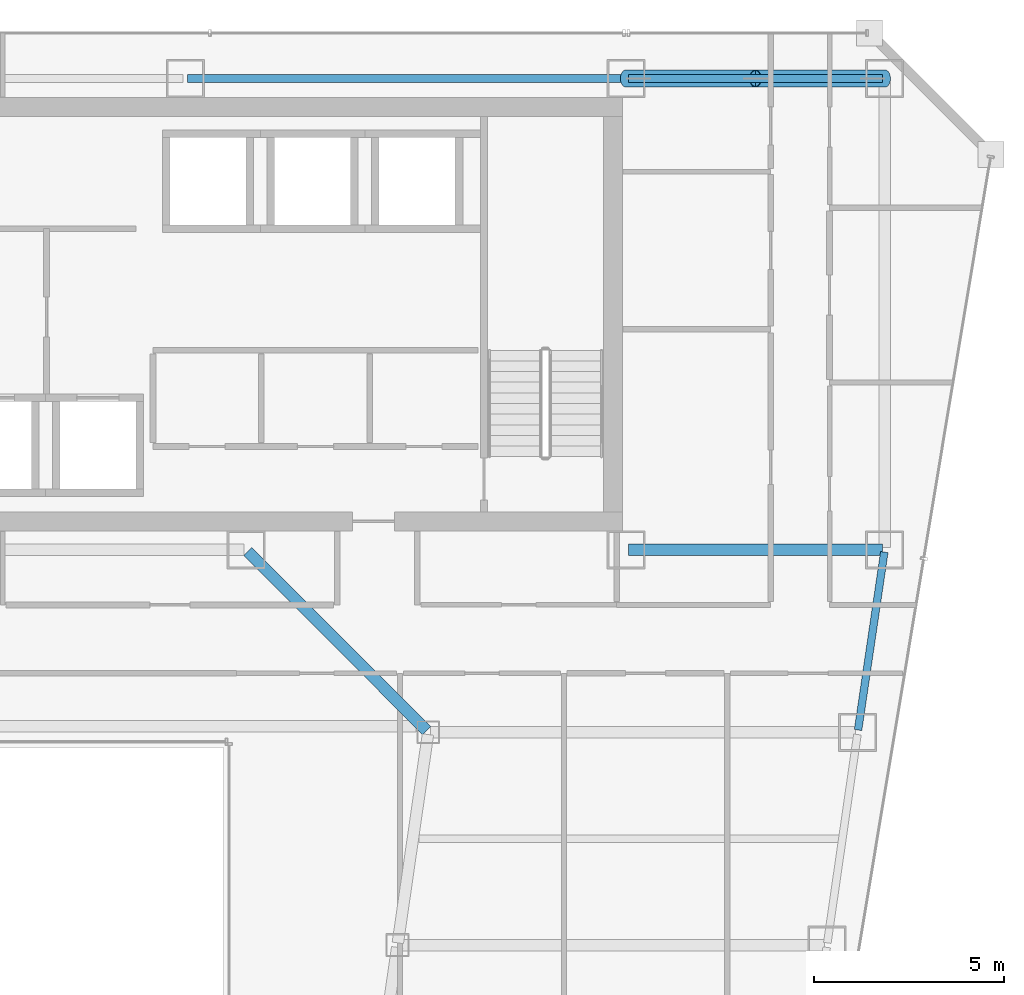
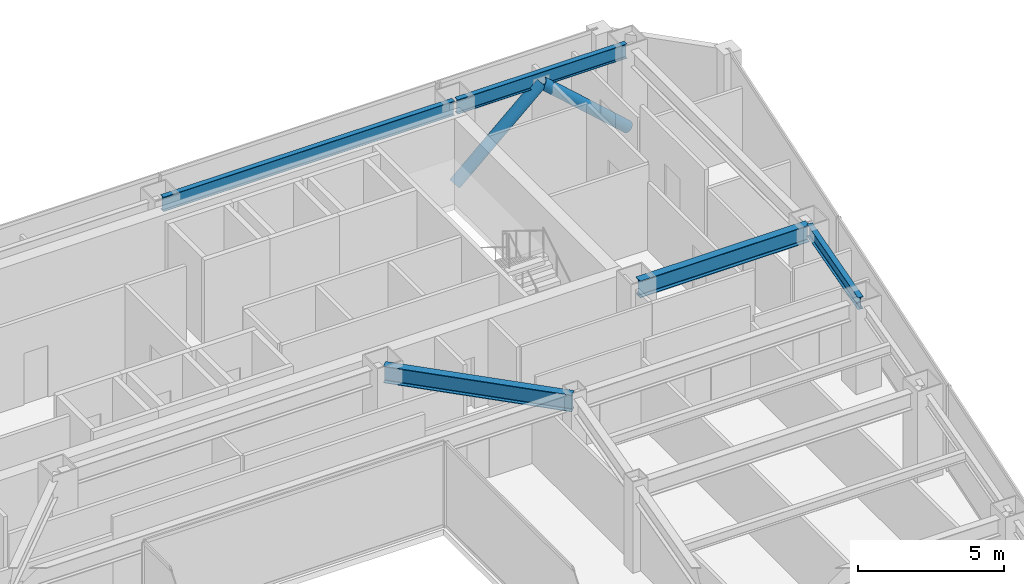
# One storey, part 25 of 37: 5 beams, 2 members.
"""IFC4 building model written with IfcOpenShell, lengths in metres."""

import ifcopenshell
import ifcopenshell.guid

model = None  # the IFC model being written
_history = None  # IfcOwnerHistory: only IFC2X3 demands one
_inside = {}  # id of a spatial element -> (the spatial element, [elements in it])
_under = {}  # id of a project, library or spatial element -> (it, [spatial elements below it])
_declared = {}  # id of a project -> (the project, [libraries it declares])
_typed = {}  # id of a type object -> (the type object, [elements of that type])
_made_of = {}  # id of a material, layer set ... -> (it, [elements and type objects made of it])


def new_model(schema):
    """Start an empty IFC model of exactly this schema.

    Asked for "IFC4X3", IfcOpenShell would pick the latest addendum, in which some entities
    have other attributes; the version numbers below select the first issue.
    IFC2X3 requires an IfcOwnerHistory on every rooted entity: one is made here for all.
    """
    global model, _history
    if schema == "IFC4X3":
        model = ifcopenshell.file(schema_version=(4, 3, 0, 0))
    else:
        model = ifcopenshell.file(schema=schema)
    _inside.clear()
    _under.clear()
    _declared.clear()
    _typed.clear()
    _made_of.clear()
    _history = None
    if model.schema == "IFC2X3":
        org = make("IfcOrganization", Name="unknown")
        user = make(
            "IfcPersonAndOrganization",
            ThePerson=make("IfcPerson", FamilyName="unknown"),
            TheOrganization=org,
        )
        app = make(
            "IfcApplication",
            ApplicationDeveloper=org,
            Version="unknown",
            ApplicationFullName="unknown",
            ApplicationIdentifier="unknown",
        )
        _history = make(
            "IfcOwnerHistory",
            OwningUser=user,
            OwningApplication=app,
            ChangeAction="ADDED",
            CreationDate=0,
        )
    return model


def make(cls, **values):
    """One entity of the class cls with the attributes given. An attribute that is None is left unset."""
    return model.create_entity(
        cls, **{name: value for name, value in values.items() if value is not None}
    )


def rooted(cls, **values):
    """An entity with a GlobalId (a new one), such as an element, a storey or a relation."""
    return make(cls, GlobalId=ifcopenshell.guid.new(), OwnerHistory=_history, **values)


def si_unit(unit_type, name, prefix=None):
    """IfcSIUnit, for example si_unit("LENGTHUNIT", "METRE", prefix="MILLI")."""
    return make("IfcSIUnit", UnitType=unit_type, Prefix=prefix, Name=name)


def assignment(units):
    """IfcUnitAssignment: the units of a project."""
    return None if units is None else make("IfcUnitAssignment", Units=units)


def point(xyz):
    """IfcCartesianPoint."""
    return None if xyz is None else make("IfcCartesianPoint", Coordinates=xyz)


def direction(xyz):
    """IfcDirection."""
    return None if xyz is None else make("IfcDirection", DirectionRatios=xyz)


def frame(location, z_axis=None, x_axis=None):
    """IfcAxis2Placement3D, a coordinate frame: its origin and axes. An axis left out is left unset."""
    return make(
        "IfcAxis2Placement3D",
        Location=point(location),
        Axis=direction(z_axis),
        RefDirection=direction(x_axis),
    )


def frame_2d(location, x_axis=None):
    """IfcAxis2Placement2D, a coordinate frame in the plane: its origin and x axis."""
    return make(
        "IfcAxis2Placement2D", Location=point(location), RefDirection=direction(x_axis)
    )


def origin():
    """The frame at (0, 0, 0) with its axes left unset."""
    return frame((0.0, 0.0, 0.0))


def origin_2d():
    """The frame at (0, 0) in the plane with its x axis left unset."""
    return frame_2d((0.0, 0.0))


def place(relative_to, where):
    """IfcLocalPlacement: puts the frame where relative to a parent placement (None: the world)."""
    return make(
        "IfcLocalPlacement", PlacementRelTo=relative_to, RelativePlacement=where
    )


def context(
    kind, dimensions, precision=None, world=None, true_north=None, identifier=None
):
    """IfcGeometricRepresentationContext, for example the 3D "Model" context."""
    return make(
        "IfcGeometricRepresentationContext",
        ContextIdentifier=identifier,
        ContextType=kind,
        CoordinateSpaceDimension=dimensions,
        Precision=precision,
        WorldCoordinateSystem=world,
        TrueNorth=true_north,
    )


def subcontext(parent, identifier, kind, view, scale=None):
    """IfcGeometricRepresentationSubContext, for example "Body" below "Model"."""
    return make(
        "IfcGeometricRepresentationSubContext",
        ContextIdentifier=identifier,
        ContextType=kind,
        ParentContext=parent,
        TargetScale=scale,
        TargetView=view,
    )


def project(units=None, contexts=None):
    """IfcProject with its units and contexts."""
    return rooted(
        "IfcProject",
        Name="project",
        RepresentationContexts=contexts,
        UnitsInContext=assignment(units),
    )


def spatial(cls, under=None, at=None, **own):
    """A site, building, storey or space (cls), placed at a placement, below another one or the project."""
    s = rooted(cls, ObjectPlacement=at, **own)
    if under is not None:
        _under.setdefault(under.id(), (under, []))[1].append(s)
    return s


def profile(cls, at=None, kind="AREA", **sizes):
    """A parametric profile (cls). Its sizes go by their IFC names, for example OverallWidth=200.0."""
    return make(cls, ProfileType=kind, Position=at, **sizes)


def hollow_circle(**sizes):
    """IfcCircleHollowProfileDef."""
    return profile("IfcCircleHollowProfileDef", **sizes)


def i_section(**sizes):
    """IfcIShapeProfileDef."""
    return profile("IfcIShapeProfileDef", **sizes)


def extrude(swept, where, along, depth):
    """IfcExtrudedAreaSolid: the profile swept, set in the frame where, extruded along a direction by depth."""
    return make(
        "IfcExtrudedAreaSolid",
        SweptArea=swept,
        Position=where,
        ExtrudedDirection=direction(along),
        Depth=depth,
    )


def shape(context_of_items, identifier, shape_type, items):
    """IfcShapeRepresentation: the items that make up one representation, for example the "Body"."""
    return make(
        "IfcShapeRepresentation",
        ContextOfItems=context_of_items,
        RepresentationIdentifier=identifier,
        RepresentationType=shape_type,
        Items=items,
    )


def material(Name=None, Category=None):
    """IfcMaterial."""
    return make("IfcMaterial", Name=Name, Category=Category)


def material_profile(
    of_material, cross_section, Name=None, Category=None, Priority=None
):
    """IfcMaterialProfile: a cross section and its material."""
    return make(
        "IfcMaterialProfile",
        Name=Name,
        Material=of_material,
        Profile=cross_section,
        Priority=Priority,
        Category=Category,
    )


def profile_set(profiles, Name=None, composite=None):
    """IfcMaterialProfileSet."""
    return make(
        "IfcMaterialProfileSet",
        Name=Name,
        MaterialProfiles=profiles,
        CompositeProfile=composite,
    )


def made_of(thing, what):
    """Note that an element or type object is made of a material, layer set ...; save() writes the relation."""
    if what is not None:
        _made_of.setdefault(what.id(), (what, []))[1].append(thing)
    return thing


def type_object(cls, material=None, **own):
    """A type object (cls), such as IfcWallType, which elements share."""
    return made_of(rooted(cls, **own), material)


def element(
    cls,
    number,
    at=None,
    inside=None,
    cuts=None,
    type_object=None,
    material=None,
    context=None,
    identifier="Body",
    shape_type=None,
    held_by="IfcProductDefinitionShape",
    body=None,
    shapes=None,
    **own,
):
    """One element of the class cls, such as IfcWall. Its Tag is "e" and its number.

    at: its placement. inside: the storey or other place that contains it. cuts: it is an
    opening in that element (IfcRelVoidsElement). A single representation is given by context,
    identifier, shape_type and body (its items); several are given by shapes. held_by: the class
    of the entity that holds the representations. save() writes the other relations.
    """
    e = rooted(cls, Tag="e%d" % number, ObjectPlacement=at, **own)
    if body is not None:
        shapes = [shape(context, identifier, shape_type, body)]
    if shapes is not None:
        e.Representation = make(held_by, Representations=shapes)
    if inside is not None:
        _inside.setdefault(inside.id(), (inside, []))[1].append(e)
    if cuts is not None:
        rooted(
            "IfcRelVoidsElement", RelatingBuildingElement=cuts, RelatedOpeningElement=e
        )
    if type_object is not None:
        _typed.setdefault(type_object.id(), (type_object, []))[1].append(e)
    return made_of(e, material)


def aggregate(whole, parts):
    """IfcRelAggregates: a whole, such as a stair, and the parts it consists of."""
    return rooted("IfcRelAggregates", RelatingObject=whole, RelatedObjects=parts)


def save(model, path):
    """Write the relations noted so far, then the file.

    IfcRelAggregates (storeys below a building ...), IfcRelContainedInSpatialStructure (elements
    in a storey), IfcRelDefinesByType, IfcRelAssociatesMaterial and IfcRelDeclares: one each for
    every whole, place, type object, material and project.
    """
    for whole, parts in _under.values():
        aggregate(whole, parts)
    for where, things in _inside.values():
        rooted(
            "IfcRelContainedInSpatialStructure",
            RelatedElements=things,
            RelatingStructure=where,
        )
    for kind, things in _typed.values():
        rooted("IfcRelDefinesByType", RelatedObjects=things, RelatingType=kind)
    for what, things in _made_of.values():
        rooted("IfcRelAssociatesMaterial", RelatedObjects=things, RelatingMaterial=what)
    for by, libraries in _declared.values():
        rooted("IfcRelDeclares", RelatingContext=by, RelatedDefinitions=libraries)
    model.write(path)


model = new_model("IFC4")

# Units and contexts
model_context = context("Model", 3, precision=1e-05, world=origin(), true_north=direction((0.0, 1.0)))
body_context = subcontext(model_context, "Body", "Model", "MODEL_VIEW")
ifc_project = project(units=[si_unit("LENGTHUNIT", "METRE"), si_unit("AREAUNIT", "SQUARE_METRE"), si_unit("VOLUMEUNIT", "CUBIC_METRE"), si_unit("PLANEANGLEUNIT", "RADIAN"), si_unit("MASSUNIT", "GRAM", prefix="KILO")], contexts=[model_context])

# Site, building, storey
site_placement = place(None, origin())
site = spatial("IfcSite", under=ifc_project, at=site_placement, CompositionType="ELEMENT")
building_placement = place(site_placement, origin())
building = spatial("IfcBuilding", under=site, at=building_placement, Name="Saevonmaru Cultural Tower", CompositionType="ELEMENT")
storey_placement = place(building_placement, frame((0.0, 0.0, 141.0)))
storey = spatial("IfcBuildingStorey", under=building, at=storey_placement, Name="L30", CompositionType="ELEMENT", Elevation=141.0)

# Beams
ifc_material_1 = material(Name="Steel SM355", Category="steel")
ifc_material_profile_1 = material_profile(ifc_material_1, i_section(OverallWidth=0.300048828125, OverallDepth=0.699951171875, WebThickness=0.012939453125, FlangeThickness=0.02392578125, FilletRadius=0.02587890625, at=origin_2d()), Name="H-700x300x13x24")
ifc_profile_set_1 = profile_set([ifc_material_profile_1], Name="Steel SM355")
beam_type_1 = type_object("IfcBeamType", Name="BM-G-H700", PredefinedType="BEAM", material=ifc_profile_set_1)
beam_1_placement = place(storey_placement, frame((46.4599609375, 42.39990234375, 3.199951171875), z_axis=(1.0, 0.0, 0.0), x_axis=(0.0, 1.0, 0.0)))
element("IfcBeam", 1, at=beam_1_placement, inside=storey, type_object=beam_type_1, Name="L30 Core South Girder 5", PredefinedType="BEAM", context=body_context, shape_type="SweptSolid", body=[
    extrude(i_section(OverallWidth=0.300048828125, OverallDepth=0.699951171875, WebThickness=0.012939453125, FlangeThickness=0.02392578125, FilletRadius=0.02587890625, at=origin_2d()), origin(), (0.0, 0.0, 1.0), 6.679931640625),
])
beam_2_placement = place(storey_placement, frame((41.149658203125, 37.642578125, 3.199951171875), z_axis=(-0.706538566564, 0.707674539572, 0.0), x_axis=(-0.707674539572, -0.706538566564, 0.0)))
element("IfcBeam", 2, at=beam_2_placement, inside=storey, type_object=beam_type_1, Name="L30 East Atrium Girder 5", PredefinedType="BEAM", context=body_context, shape_type="SweptSolid", body=[
    extrude(i_section(OverallWidth=0.300048828125, OverallDepth=0.699951171875, WebThickness=0.012939453125, FlangeThickness=0.02392578125, FilletRadius=0.02587890625, at=origin_2d()), origin(), (0.0, 0.0, 1.0), 6.662353515625),
])
ifc_material_profile_2 = material_profile(ifc_material_1, i_section(OverallWidth=0.199951171875, OverallDepth=0.5, WebThickness=0.010009765625, FlangeThickness=0.01611328125, FilletRadius=0.02001953125, at=origin_2d()), Name="H-500x200x10x16")
ifc_profile_set_2 = profile_set([ifc_material_profile_2], Name="Steel SM355")
beam_type_2 = type_object("IfcBeamType", Name="BM-SP-H500", PredefinedType="SPANDREL", material=ifc_profile_set_2)
beam_3_placement = place(storey_placement, frame((52.500732421875, 37.659423828125, 3.300048828125), z_axis=(0.145912860028, 0.989297446312, 0.0), x_axis=(-0.989297446312, 0.145912860028, 0.0)))
element("IfcBeam", 3, at=beam_3_placement, inside=storey, type_object=beam_type_2, Name="L30 East Splayed Spandrel 5", PredefinedType="SPANDREL", context=body_context, shape_type="SweptSolid", body=[
    extrude(i_section(OverallWidth=0.199951171875, OverallDepth=0.5, WebThickness=0.010009765625, FlangeThickness=0.01611328125, FilletRadius=0.02001953125, at=origin_2d()), origin(), (0.0, 0.0, 1.0), 4.731689453125),
])
ifc_material_profile_3 = material_profile(ifc_material_1, i_section(OverallWidth=0.199951171875, OverallDepth=0.60009765625, WebThickness=0.010986328125, FlangeThickness=0.01708984375, FilletRadius=0.02197265625, at=origin_2d()), Name="H-600x200x11x17")
ifc_profile_set_3 = profile_set([ifc_material_profile_3], Name="Steel SM355")
beam_type_3 = type_object("IfcBeamType", Name="BM-SP-H600", PredefinedType="SPANDREL", material=ifc_profile_set_3)
beam_4_placement = place(storey_placement, frame((34.860107421875, 54.800048828125, 3.25), z_axis=(1.0, 0.0, 0.0), x_axis=(0.0, 1.0, 0.0)))
element("IfcBeam", 4, at=beam_4_placement, inside=storey, type_object=beam_type_3, Name="L30 North Spine Girder 4", PredefinedType="SPANDREL", context=body_context, shape_type="SweptSolid", body=[
    extrude(i_section(OverallWidth=0.199951171875, OverallDepth=0.60009765625, WebThickness=0.010986328125, FlangeThickness=0.01708984375, FilletRadius=0.02197265625, at=origin_2d()), origin(), (0.0, 0.0, 1.0), 11.47998046875),
])
beam_5_placement = place(storey_placement, frame((46.4599609375, 54.800048828125, 3.25), z_axis=(1.0, 0.0, 0.0), x_axis=(0.0, 1.0, 0.0)))
element("IfcBeam", 5, at=beam_5_placement, inside=storey, type_object=beam_type_3, Name="L30 North Spine Girder 5", PredefinedType="SPANDREL", context=body_context, shape_type="SweptSolid", body=[
    extrude(i_section(OverallWidth=0.199951171875, OverallDepth=0.60009765625, WebThickness=0.010986328125, FlangeThickness=0.01708984375, FilletRadius=0.02197265625, at=origin_2d()), origin(), (0.0, 0.0, 1.0), 6.679931640625),
])

# Members
ifc_material_2 = material(Name="Steel SM420", Category="steel")
ifc_material_profile_4 = material_profile(ifc_material_2, hollow_circle(Radius=0.228515625, WallThickness=0.02001953125, at=origin_2d()), Name="CHS-457.2x20")
ifc_profile_set_4 = profile_set([ifc_material_profile_4], Name="Steel SM420")
member_type = type_object("IfcMemberType", Name="MB-PBR-CHS457", PredefinedType="BRACE", material=ifc_profile_set_4)
for number, where, z_axis, x_axis, name in (
    (6, (46.39990234375, 54.800048828125, 0.02001953125), (0.744390779303, 0.0, 0.66774423823), (0.0, 1.0, 0.0), "L30 Perimeter Braced-Tube Diagonal EN1"),
    (7, (53.199951171875, 54.800048828125, 0.02001953125), (-0.744366945704, 0.0, 0.667770806597), (0.0, -1.0, 0.0), "L30 Perimeter Braced-Tube Diagonal EN2"),
):
    element("IfcMember", number, at=place(storey_placement, frame(where, z_axis=z_axis, x_axis=x_axis)), inside=storey, type_object=member_type, Name=name, PredefinedType="BRACE", context=body_context, shape_type="SweptSolid", body=[
        extrude(hollow_circle(Radius=0.228515625, WallThickness=0.02001953125, at=origin_2d()), origin(), (0.0, 0.0, 1.0), 4.567626953125),
    ])

save(model, "model.ifc")
